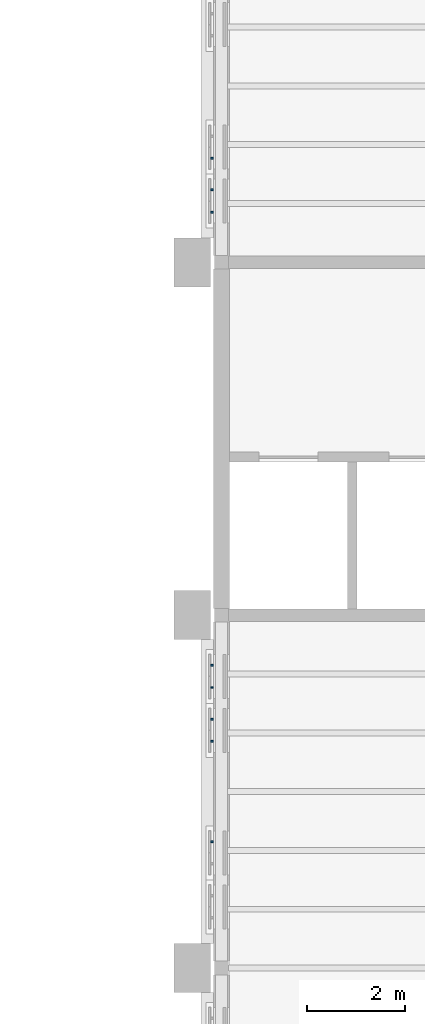
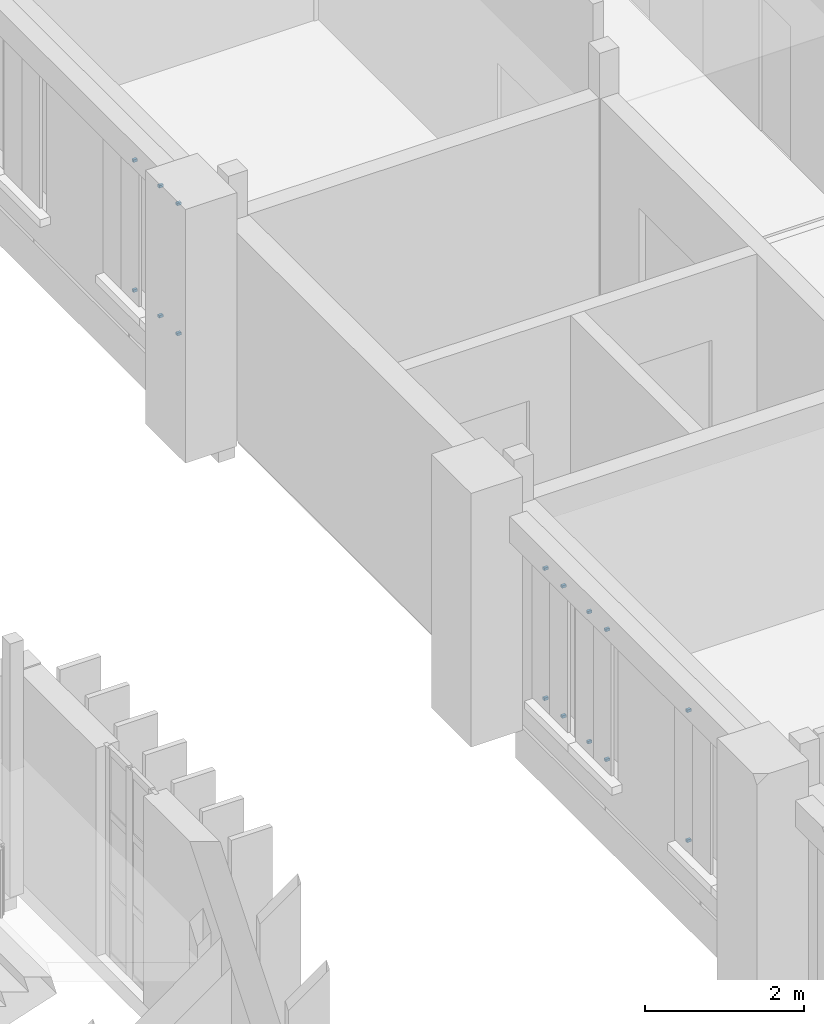
# One storey, part 56 of 71: 16 discrete accessories.
"""IFC4 building model written with IfcOpenShell, lengths in metres."""

from ifc_helpers import new_model, si_unit, direction, frame, origin, origin_2d, place, context, subcontext, project, spatial, rectangle, extrude, material, type_object, element, save


model = new_model("IFC4")

# Units and contexts
model_context = context("Model", 3, precision=1e-05, world=origin(), true_north=direction((0.0, 1.0)))
body_context = subcontext(model_context, "Body", "Model", "MODEL_VIEW")
ifc_project = project(units=[si_unit("LENGTHUNIT", "METRE"), si_unit("AREAUNIT", "SQUARE_METRE"), si_unit("VOLUMEUNIT", "CUBIC_METRE"), si_unit("PLANEANGLEUNIT", "RADIAN"), si_unit("MASSUNIT", "GRAM", prefix="KILO")], contexts=[model_context])

# Site, building, storey
site_placement = place(None, origin())
site = spatial("IfcSite", under=ifc_project, at=site_placement, CompositionType="ELEMENT")
building_placement = place(site_placement, origin())
building = spatial("IfcBuilding", under=site, at=building_placement, Name="Mazhai Court Health Centre", CompositionType="ELEMENT")
storey_placement = place(building_placement, frame((0.0, 0.0, 10.199951171875)))
storey = spatial("IfcBuildingStorey", under=building, at=storey_placement, Name="L02", CompositionType="ELEMENT", Elevation=10.199951171875)

# Discrete accessories
ifc_material = material(Name="Steel IS 2062 E250", Category="steel")
discrete_accessory_type = type_object("IfcDiscreteAccessoryType", Name="BRACKET 40", PredefinedType="BRACKET", material=ifc_material)
for number, where, z_axis, x_axis, name in (
    (1, (135.60498046875, 23.175048828125, 0.780029296875), (0.0, 0.0, 1.0), (0.0, 1.0, 0.0), "BR-V6-L02-A20bb0"),
    (2, (135.60498046875, 23.175048828125, 2.780029296875), (0.0, 0.0, 1.0), (0.0, 1.0, 0.0), "BR-V6-L02-A20bb1"),
    (3, (135.60498046875, 25.22509765625, 0.780029296875), (0.0, 0.0, 1.0), (0.0, 1.0, 0.0), "BR-V6-L02-A21aa0"),
    (4, (135.60498046875, 25.22509765625, 2.780029296875), (0.0, 0.0, 1.0), (0.0, 1.0, 0.0), "BR-V6-L02-A21aa1"),
    (5, (135.60498046875, 25.675048828125, 0.780029296875), (0.0, 0.0, 1.0), (0.0, 1.0, 0.0), "BR-V6-L02-A21ab0"),
    (6, (135.60498046875, 25.675048828125, 2.780029296875), (0.0, 0.0, 1.0), (0.0, 1.0, 0.0), "BR-V6-L02-A21ab1"),
    (7, (135.60498046875, 26.324951171875, 0.780029296875), (0.0, 0.0, 1.0), (0.0, 1.0, 0.0), "BR-V6-L02-A21ba0"),
    (8, (135.60498046875, 26.324951171875, 2.780029296875), (0.0, 0.0, 1.0), (0.0, 1.0, 0.0), "BR-V6-L02-A21ba1"),
    (9, (135.60498046875, 26.77490234375, 0.780029296875), (0.0, 0.0, 1.0), (0.0, 1.0, 0.0), "BR-V6-L02-A21bb0"),
    (10, (135.60498046875, 26.77490234375, 2.780029296875), (0.0, 0.0, 1.0), (0.0, 1.0, 0.0), "BR-V6-L02-A21bb1"),
    (11, (135.60498046875, 36.02490234375, 0.780029296875), (0.0, 0.0, 1.0), (0.0, 1.0, 0.0), "BR-V6-L02-A40aa0"),
    (12, (135.60498046875, 36.02490234375, 2.780029296875), (0.0, 0.0, 1.0), (0.0, 1.0, 0.0), "BR-V6-L02-A40aa1"),
    (13, (135.60498046875, 36.47509765625, 0.780029296875), (0.0, 0.0, 1.0), (0.0, 1.0, 0.0), "BR-V6-L02-A40ab0"),
    (14, (135.60498046875, 36.47509765625, 2.780029296875), (0.0, 0.0, 1.0), (0.0, 1.0, 0.0), "BR-V6-L02-A40ab1"),
    (15, (135.60498046875, 37.125, 0.780029296875), (0.0, 0.0, 1.0), (0.0, 1.0, 0.0), "BR-V6-L02-A40ba0"),
    (16, (135.60498046875, 37.125, 2.780029296875), (0.0, 0.0, 1.0), (0.0, 1.0, 0.0), "BR-V6-L02-A40ba1"),
):
    element("IfcDiscreteAccessory", number, at=place(storey_placement, frame(where, z_axis=z_axis, x_axis=x_axis)), inside=storey, type_object=discrete_accessory_type, Name=name, PredefinedType="BRACKET", context=body_context, shape_type="SweptSolid", body=[
        extrude(rectangle(XDim=0.0400390625, YDim=0.06005859375, at=origin_2d()), origin(), (0.0, 0.0, 1.0), 0.0400390625),
    ])

save(model, "model.ifc")
